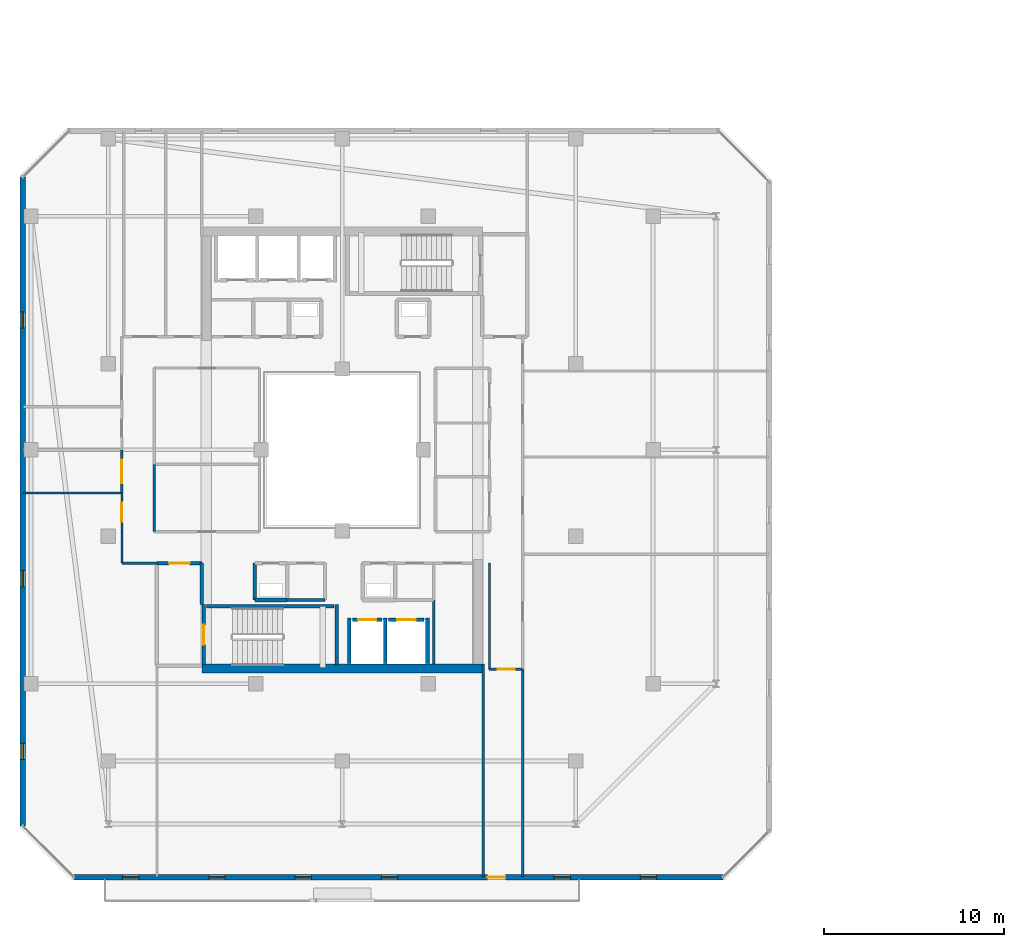
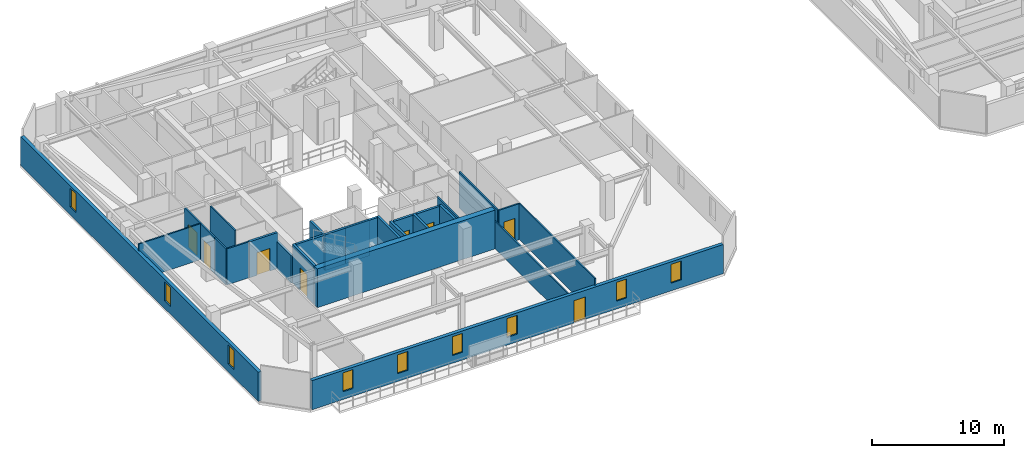
# One storey, part 21 of 35: 27 walls, 9 windows, 8 doors, 17 openings.
"""IFC4 building model written with IfcOpenShell, lengths in metres."""

from ifc_helpers import new_model, si_unit, direction, frame, frame_2d, origin, place, context, subcontext, project, spatial, rectangle, extrude, material, layer, layer_set, type_object, element, fill, save


model = new_model("IFC4")

# Units and contexts
model_context = context("Model", 3, precision=1e-05, world=origin(), true_north=direction((0.0, 1.0)))
body_context = subcontext(model_context, "Body", "Model", "MODEL_VIEW")
ifc_project = project(units=[si_unit("LENGTHUNIT", "METRE"), si_unit("AREAUNIT", "SQUARE_METRE"), si_unit("VOLUMEUNIT", "CUBIC_METRE"), si_unit("PLANEANGLEUNIT", "RADIAN"), si_unit("MASSUNIT", "GRAM", prefix="KILO")], contexts=[model_context])

# Site, building, storey
site_placement = place(None, origin())
site = spatial("IfcSite", under=ifc_project, at=site_placement, CompositionType="ELEMENT")
building_placement = place(site_placement, origin())
building = spatial("IfcBuilding", under=site, at=building_placement, Name="Thornwick Lancets Civic Towers", CompositionType="ELEMENT")
storey_placement = place(building_placement, frame((0.0, 0.0, 272.699951171875)))
storey = spatial("IfcBuildingStorey", under=building, at=storey_placement, Name="L73", CompositionType="ELEMENT", Elevation=272.699951171875)

# Wall, opening, door
ifc_material_1 = material(Name="Concrete blockwork C40/50", Category="masonry")
ifc_layer_1 = layer(ifc_material_1, 0.199951171875, Name="Concrete blockwork C40/50")
ifc_layer_set_1 = layer_set([ifc_layer_1], Name="Concrete blockwork C40/50")
wall_type_1 = type_object("IfcWallType", Name="WALL_COMP_200", PredefinedType="STANDARD", material=ifc_layer_set_1)
wall_1_placement = place(storey_placement, frame((26.080078125, 17.550048828125, 0.0), z_axis=(0.0, 0.0, 1.0), x_axis=(1.0, 0.0, 0.0)))
wall_1 = element("IfcWall", 1, at=wall_1_placement, inside=storey, type_object=wall_type_1, Name="L73 Hoistway Front Wall FL-A1", PredefinedType="STANDARD", context=body_context, shape_type="SweptSolid", body=[
    extrude(rectangle(XDim=1.639892578125, YDim=0.199951171875, at=frame_2d((0.81982421875, 0.0))), origin(), (0.0, 0.0, 1.0), 3.340087890625),
])
opening_1_placement = place(wall_1_placement, frame((0.31005859375, 0.0, 0.0)))
opening_1 = element("IfcOpeningElement", 2, at=opening_1_placement, cuts=wall_1, Name="Opening LD-FL-A1", PredefinedType="OPENING", context=body_context, shape_type="SweptSolid", body=[
    extrude(rectangle(XDim=1.02001953125, YDim=2.06005859375, at=frame_2d((0.510009765625, 1.030029296875))), frame((0.0, 0.10986328125, 0.0), z_axis=(0.0, -1.0, 0.0), x_axis=(1.0, 0.0, 0.0)), (0.0, 0.0, 1.0), 0.219970703125),
])
ifc_material_2 = material(Name="Brushed bronze stainless steel", Category="steel")
door_type_1 = type_object("IfcDoorType", Name="DOOR_LIFT_SLIDE", OperationType="SLIDING_TO_LEFT", PredefinedType="DOOR", material=ifc_material_2)
door_1_placement = place(opening_1_placement, origin())
door_1 = element("IfcDoor", 3, at=door_1_placement, inside=storey, type_object=door_type_1, Name="L73 Sliding Lift Landing Door LD-FL-A1", OperationType="SLIDING_TO_LEFT", OverallHeight=2.06005859375, OverallWidth=1.02001953125, PredefinedType="DOOR", context=body_context, shape_type="SweptSolid", body=[
    extrude(rectangle(XDim=1.02001953125, YDim=2.06005859375, at=frame_2d((0.510009765625, 1.030029296875))), frame((0.0, 0.02490234375, 0.0), z_axis=(0.0, -1.0, 0.0), x_axis=(1.0, 0.0, 0.0)), (0.0, 0.0, 1.0), 0.050048828125),
])
fill(opening_1, door_1)

wall_2_placement = place(storey_placement, frame((28.080078125, 17.550048828125, 0.0), z_axis=(0.0, 0.0, 1.0), x_axis=(1.0, 0.0, 0.0)))
wall_2 = element("IfcWall", 4, at=wall_2_placement, inside=storey, type_object=wall_type_1, Name="L73 Hoistway Front Wall PL-AH1", PredefinedType="STANDARD", context=body_context, shape_type="SweptSolid", body=[
    extrude(rectangle(XDim=1.989990234375, YDim=0.199951171875, at=frame_2d((0.9951171875, 0.0))), origin(), (0.0, 0.0, 1.0), 3.340087890625),
])
opening_2_placement = place(wall_2_placement, frame((0.485107421875, 0.0, 0.0)))
opening_2 = element("IfcOpeningElement", 5, at=opening_2_placement, cuts=wall_2, Name="Opening LD-PL-AH1", PredefinedType="OPENING", context=body_context, shape_type="SweptSolid", body=[
    extrude(rectangle(XDim=1.02001953125, YDim=2.06005859375, at=frame_2d((0.510009765625, 1.030029296875))), frame((0.0, 0.10986328125, 0.0), z_axis=(0.0, -1.0, 0.0), x_axis=(1.0, 0.0, 0.0)), (0.0, 0.0, 1.0), 0.219970703125),
])
door_2_placement = place(opening_2_placement, origin())
door_2 = element("IfcDoor", 6, at=door_2_placement, inside=storey, type_object=door_type_1, Name="L73 Sliding Lift Landing Door LD-PL-AH1", OperationType="SLIDING_TO_LEFT", OverallHeight=2.06005859375, OverallWidth=1.02001953125, PredefinedType="DOOR", context=body_context, shape_type="SweptSolid", body=[
    extrude(rectangle(XDim=1.02001953125, YDim=2.06005859375, at=frame_2d((0.510009765625, 1.030029296875))), frame((0.0, 0.02490234375, 0.0), z_axis=(0.0, -1.0, 0.0), x_axis=(1.0, 0.0, 0.0)), (0.0, 0.0, 1.0), 0.050048828125),
])
fill(opening_2, door_2)

# Walls
for number, where, z_axis, x_axis, name in (
    (7, (27.89990234375, 15.112060546875, 0.0), (0.0, 0.0, 1.0), (0.0, 1.0, 0.0), "L73 Hoistway Shaft Wall FL-A1 E"),
    (8, (25.89990234375, 15.112060546875, 0.0), (0.0, 0.0, 1.0), (0.0, 1.0, 0.0), "L73 Hoistway Shaft Wall FL-A1 W"),
    (9, (30.25, 15.112060546875, 0.0), (0.0, 0.0, 1.0), (0.0, 1.0, 0.0), "L73 Hoistway Shaft Wall PL-AH1 E"),
):
    element("IfcWall", number, at=place(storey_placement, frame(where, z_axis=z_axis, x_axis=x_axis)), inside=storey, type_object=wall_type_1, Name=name, PredefinedType="STANDARD", context=body_context, shape_type="SweptSolid", body=[
        extrude(rectangle(XDim=2.535888671875, YDim=0.199951171875, at=frame_2d((1.26806640625, 0.0))), origin(), (0.0, 0.0, 1.0), 3.340087890625),
    ])
wall_3_placement = place(storey_placement, frame((17.699951171875, 18.39990234375, 0.0), z_axis=(0.0, 0.0, 1.0), x_axis=(0.0, 1.0, 0.0)))
element("IfcWall", 10, at=wall_3_placement, inside=storey, type_object=wall_type_1, Name="L73 Partition L73-A-FFLOB1 E2", PredefinedType="STANDARD", context=body_context, shape_type="SweptSolid", body=[
    extrude(rectangle(XDim=2.300048828125, YDim=0.199951171875, at=frame_2d((1.14990234375, 0.0))), origin(), (0.0, 0.0, 1.0), 2.545166015625),
])

# Wall, opening, door
wall_4_placement = place(storey_placement, frame((17.699951171875, 20.699951171875, 0.0), z_axis=(0.0, 0.0, 1.0), x_axis=(-1.0, 0.0, 0.0)))
wall_4 = element("IfcWall", 11, at=wall_4_placement, inside=storey, type_object=wall_type_1, Name="L73 Partition L73-A-FFLOB1 E3", PredefinedType="STANDARD", context=body_context, shape_type="SweptSolid", body=[
    extrude(rectangle(XDim=2.5, YDim=0.199951171875, at=frame_2d((1.25, 0.0))), origin(), (0.0, 0.0, 1.0), 3.340087890625),
])
opening_3_placement = place(wall_4_placement, frame((0.675048828125, 0.0, 0.0)))
opening_3 = element("IfcOpeningElement", 12, at=opening_3_placement, cuts=wall_4, Name="Opening D-L73-3327", PredefinedType="OPENING", context=body_context, shape_type="SweptSolid", body=[
    extrude(rectangle(XDim=1.14990234375, YDim=2.10009765625, at=frame_2d((0.574951171875, 1.050048828125))), frame((0.0, 0.10986328125, 0.0), z_axis=(0.0, -1.0, 0.0), x_axis=(1.0, 0.0, 0.0)), (0.0, 0.0, 1.0), 0.219970703125),
])
ifc_material_3 = material(Name="Glazed fire-resisting steel", Category="steel")
door_type_2 = type_object("IfcDoorType", Name="DOOR_LOBBY_FD60", OperationType="NOTDEFINED", PredefinedType="DOOR", material=ifc_material_3)
door_3_placement = place(opening_3_placement, origin())
door_3 = element("IfcDoor", 13, at=door_3_placement, inside=storey, type_object=door_type_2, Name="L73 South Firefighting Lobby 1 Door", OperationType="SINGLE_SWING_RIGHT", OverallHeight=2.10009765625, OverallWidth=1.14990234375, PredefinedType="DOOR", context=body_context, shape_type="SweptSolid", body=[
    extrude(rectangle(XDim=1.14990234375, YDim=2.10009765625, at=frame_2d((0.574951171875, 1.050048828125))), frame((0.0, 0.02490234375, 0.0), z_axis=(0.0, -1.0, 0.0), x_axis=(1.0, 0.0, 0.0)), (0.0, 0.0, 1.0), 0.050048828125),
])
fill(opening_3, door_3)

# Walls
wall_5_placement = place(storey_placement, frame((20.64990234375, 18.64990234375, 0.0), z_axis=(0.0, 0.0, 1.0), x_axis=(1.0, 0.0, 0.0)))
element("IfcWall", 14, at=wall_5_placement, inside=storey, type_object=wall_type_1, Name="L73 Partition L73-A-RISER1 E1", PredefinedType="STANDARD", context=body_context, shape_type="SweptSolid", body=[
    extrude(rectangle(XDim=1.800048828125, YDim=0.199951171875, at=frame_2d((0.89990234375, 0.0))), origin(), (0.0, 0.0, 1.0), 3.340087890625),
])
wall_6_placement = place(storey_placement, frame((20.64990234375, 20.699951171875, 0.0), z_axis=(0.0, 0.0, 1.0), x_axis=(0.0, -1.0, 0.0)))
element("IfcWall", 15, at=wall_6_placement, inside=storey, type_object=wall_type_1, Name="L73 Partition L73-A-RISER1 E4", PredefinedType="STANDARD", context=body_context, shape_type="SweptSolid", body=[
    extrude(rectangle(XDim=2.050048828125, YDim=0.199951171875, at=frame_2d((1.02490234375, 0.0))), origin(), (0.0, 0.0, 1.0), 3.340087890625),
])
ifc_material_4 = material(Name="Concrete C50/60", Category="concrete")
ifc_layer_2 = layer(ifc_material_4, 0.5, Name="Concrete C50/60")
ifc_layer_set_2 = layer_set([ifc_layer_2], Name="Concrete C50/60")
wall_type_2 = type_object("IfcWallType", Name="WALL_CORE_500", PredefinedType="SHEAR", material=ifc_layer_set_2)
wall_7_placement = place(storey_placement, frame((17.699951171875, 14.85009765625, 0.0), z_axis=(0.0, 0.0, 1.0), x_axis=(1.0, 0.0, 0.0)))
element("IfcWall", 16, at=wall_7_placement, inside=storey, type_object=wall_type_2, Name="L73 Split Core A1 Shear Wall S", PredefinedType="SHEAR", context=body_context, shape_type="SweptSolid", body=[
    extrude(rectangle(XDim=15.60009765625, YDim=0.5, at=frame_2d((7.800048828125, 0.0))), origin(), (0.0, 0.0, 1.0), 3.60009765625),
])

# Wall, openings, door, windows
ifc_material_5 = material(Name="Insulated russet terracotta rainscreen on concrete C40/50", Category="masonry")
ifc_layer_3 = layer(ifc_material_5, 0.300048828125, Name="Insulated russet terracotta rainscreen on concrete C40/50")
ifc_layer_set_3 = layer_set([ifc_layer_3], Name="Insulated russet terracotta rainscreen on concrete C40/50")
wall_type_3 = type_object("IfcWallType", Name="WALL_EXT_RUSSET_300", PredefinedType="STANDARD", material=ifc_layer_set_3)
wall_8_placement = place(storey_placement, frame((10.594482421875, 3.236328125, 0.0), z_axis=(0.0, 0.0, 1.0), x_axis=(0.999999999634, -2.7061402e-05, 0.0)))
wall_8 = element("IfcWall", 17, at=wall_8_placement, inside=storey, type_object=wall_type_3, Name="L73 Tower A Terracotta Facade Wall E0", PredefinedType="STANDARD", context=body_context, shape_type="SweptSolid", body=[
    extrude(rectangle(XDim=36.0869140625, YDim=0.300048828125, at=frame_2d((18.04345703125, 0.0))), origin(), (0.0, 0.0, 1.0), 2.699951171875),
])
opening_4_placement = place(wall_8_placement, frame((22.993408203125, 0.0, 0.0)))
opening_4 = element("IfcOpeningElement", 18, at=opening_4_placement, cuts=wall_8, Name="Opening D-BL-L73-AS", PredefinedType="OPENING", context=body_context, shape_type="SweptSolid", body=[
    extrude(rectangle(XDim=1.0, YDim=2.080078125, at=frame_2d((0.5, 1.0400390625))), frame((0.0, 0.16015625, 0.0), z_axis=(0.0, -1.0, 0.0), x_axis=(1.0, 0.0, 0.0)), (0.0, 0.0, 1.0), 0.320068359375),
])
opening_5_placement = place(wall_8_placement, frame((2.699951171875, 0.0, 0.719970703125)))
opening_5 = element("IfcOpeningElement", 19, at=opening_5_placement, cuts=wall_8, Name="Opening WL-01", PredefinedType="OPENING", context=body_context, shape_type="SweptSolid", body=[
    extrude(rectangle(XDim=0.89990234375, YDim=1.75, at=frame_2d((0.449951171875, 0.875))), frame((0.0, 0.16015625, 0.0), z_axis=(0.0, -1.0, 0.0), x_axis=(1.0, 0.0, 0.0)), (0.0, 0.0, 1.0), 0.320068359375),
])
opening_6_placement = place(wall_8_placement, frame((7.5, 0.0, 0.719970703125)))
opening_6 = element("IfcOpeningElement", 20, at=opening_6_placement, cuts=wall_8, Name="Opening WL-01", PredefinedType="OPENING", context=body_context, shape_type="SweptSolid", body=[
    extrude(rectangle(XDim=0.89990234375, YDim=1.75, at=frame_2d((0.449951171875, 0.875))), frame((0.0, 0.16015625, 0.0), z_axis=(0.0, -1.0, 0.0), x_axis=(1.0, 0.0, 0.0)), (0.0, 0.0, 1.0), 0.320068359375),
])
opening_7_placement = place(wall_8_placement, frame((12.300048828125, 0.0, 0.719970703125)))
opening_7 = element("IfcOpeningElement", 21, at=opening_7_placement, cuts=wall_8, Name="Opening WL-01", PredefinedType="OPENING", context=body_context, shape_type="SweptSolid", body=[
    extrude(rectangle(XDim=0.89990234375, YDim=1.75, at=frame_2d((0.449951171875, 0.875))), frame((0.0, 0.16015625, 0.0), z_axis=(0.0, -1.0, 0.0), x_axis=(1.0, 0.0, 0.0)), (0.0, 0.0, 1.0), 0.320068359375),
])
opening_8_placement = place(wall_8_placement, frame((17.10009765625, 0.0, 0.719970703125)))
opening_8 = element("IfcOpeningElement", 22, at=opening_8_placement, cuts=wall_8, Name="Opening WL-01", PredefinedType="OPENING", context=body_context, shape_type="SweptSolid", body=[
    extrude(rectangle(XDim=0.89990234375, YDim=1.75, at=frame_2d((0.449951171875, 0.875))), frame((0.0, 0.16015625, 0.0), z_axis=(0.0, -1.0, 0.0), x_axis=(1.0, 0.0, 0.0)), (0.0, 0.0, 1.0), 0.320068359375),
])
opening_9_placement = place(wall_8_placement, frame((26.699951171875, 0.0, 0.719970703125)))
opening_9 = element("IfcOpeningElement", 23, at=opening_9_placement, cuts=wall_8, Name="Opening WL-01", PredefinedType="OPENING", context=body_context, shape_type="SweptSolid", body=[
    extrude(rectangle(XDim=0.89990234375, YDim=1.75, at=frame_2d((0.449951171875, 0.875))), frame((0.0, 0.16015625, 0.0), z_axis=(0.0, -1.0, 0.0), x_axis=(1.0, 0.0, 0.0)), (0.0, 0.0, 1.0), 0.320068359375),
])
opening_10_placement = place(wall_8_placement, frame((31.5, 0.0, 0.719970703125)))
opening_10 = element("IfcOpeningElement", 24, at=opening_10_placement, cuts=wall_8, Name="Opening WL-01", PredefinedType="OPENING", context=body_context, shape_type="SweptSolid", body=[
    extrude(rectangle(XDim=0.89990234375, YDim=1.75, at=frame_2d((0.449951171875, 0.875))), frame((0.0, 0.16015625, 0.0), z_axis=(0.0, -1.0, 0.0), x_axis=(1.0, 0.0, 0.0)), (0.0, 0.0, 1.0), 0.320068359375),
])
ifc_material_6 = material(Name="Thermally broken glazed loggia doorset")
door_type_3 = type_object("IfcDoorType", Name="DOOR_BALC_1000", OperationType="NOTDEFINED", PredefinedType="DOOR", material=ifc_material_6)
door_4_placement = place(opening_4_placement, origin())
door_4 = element("IfcDoor", 25, at=door_4_placement, inside=storey, type_object=door_type_3, Name="L73 Tower A Loggia Balcony Door S", OperationType="SINGLE_SWING_RIGHT", OverallHeight=2.080078125, OverallWidth=1.0, PredefinedType="DOOR", context=body_context, shape_type="SweptSolid", body=[
    extrude(rectangle(XDim=1.0, YDim=2.080078125, at=frame_2d((0.5, 1.0400390625))), frame((0.0, 0.02490234375, 0.0), z_axis=(0.0, -1.0, 0.0), x_axis=(1.0, 0.0, 0.0)), (0.0, 0.0, 1.0), 0.050048828125),
])
fill(opening_4, door_4)
ifc_material_7 = material(Name="Clear low-e double glazing in bronze frame", Category="glass")
window_type = type_object("IfcWindowType", Name="WIN_LANCET_900", PartitioningType="SINGLE_PANEL", PredefinedType="WINDOW", material=ifc_material_7)
window_1_placement = place(opening_5_placement, origin())
window_1 = element("IfcWindow", 26, at=window_1_placement, inside=storey, type_object=window_type, Name="L73 Tower A Staggered Lancet Window E0-1", OverallHeight=1.75, OverallWidth=0.89990234375, PartitioningType="SINGLE_PANEL", PredefinedType="WINDOW", context=body_context, shape_type="SweptSolid", body=[
    extrude(rectangle(XDim=0.89990234375, YDim=1.75, at=frame_2d((0.449951171875, 0.875))), frame((0.0, 0.030029296875, 0.0), z_axis=(0.0, -1.0, 0.0), x_axis=(1.0, 0.0, 0.0)), (0.0, 0.0, 1.0), 0.06005859375),
])
fill(opening_5, window_1)
window_2_placement = place(opening_6_placement, origin())
window_2 = element("IfcWindow", 27, at=window_2_placement, inside=storey, type_object=window_type, Name="L73 Tower A Staggered Lancet Window E0-2", OverallHeight=1.75, OverallWidth=0.89990234375, PartitioningType="SINGLE_PANEL", PredefinedType="WINDOW", context=body_context, shape_type="SweptSolid", body=[
    extrude(rectangle(XDim=0.89990234375, YDim=1.75, at=frame_2d((0.449951171875, 0.875))), frame((0.0, 0.030029296875, 0.0), z_axis=(0.0, -1.0, 0.0), x_axis=(1.0, 0.0, 0.0)), (0.0, 0.0, 1.0), 0.06005859375),
])
fill(opening_6, window_2)
window_3_placement = place(opening_7_placement, origin())
window_3 = element("IfcWindow", 28, at=window_3_placement, inside=storey, type_object=window_type, Name="L73 Tower A Staggered Lancet Window E0-3", OverallHeight=1.75, OverallWidth=0.89990234375, PartitioningType="SINGLE_PANEL", PredefinedType="WINDOW", context=body_context, shape_type="SweptSolid", body=[
    extrude(rectangle(XDim=0.89990234375, YDim=1.75, at=frame_2d((0.449951171875, 0.875))), frame((0.0, 0.030029296875, 0.0), z_axis=(0.0, -1.0, 0.0), x_axis=(1.0, 0.0, 0.0)), (0.0, 0.0, 1.0), 0.06005859375),
])
fill(opening_7, window_3)
window_4_placement = place(opening_8_placement, origin())
window_4 = element("IfcWindow", 29, at=window_4_placement, inside=storey, type_object=window_type, Name="L73 Tower A Staggered Lancet Window E0-4", OverallHeight=1.75, OverallWidth=0.89990234375, PartitioningType="SINGLE_PANEL", PredefinedType="WINDOW", context=body_context, shape_type="SweptSolid", body=[
    extrude(rectangle(XDim=0.89990234375, YDim=1.75, at=frame_2d((0.449951171875, 0.875))), frame((0.0, 0.030029296875, 0.0), z_axis=(0.0, -1.0, 0.0), x_axis=(1.0, 0.0, 0.0)), (0.0, 0.0, 1.0), 0.06005859375),
])
fill(opening_8, window_4)
window_5_placement = place(opening_9_placement, origin())
window_5 = element("IfcWindow", 30, at=window_5_placement, inside=storey, type_object=window_type, Name="L73 Tower A Staggered Lancet Window E0-5", OverallHeight=1.75, OverallWidth=0.89990234375, PartitioningType="SINGLE_PANEL", PredefinedType="WINDOW", context=body_context, shape_type="SweptSolid", body=[
    extrude(rectangle(XDim=0.89990234375, YDim=1.75, at=frame_2d((0.449951171875, 0.875))), frame((0.0, 0.030029296875, 0.0), z_axis=(0.0, -1.0, 0.0), x_axis=(1.0, 0.0, 0.0)), (0.0, 0.0, 1.0), 0.06005859375),
])
fill(opening_9, window_5)
window_6_placement = place(opening_10_placement, origin())
window_6 = element("IfcWindow", 31, at=window_6_placement, inside=storey, type_object=window_type, Name="L73 Tower A Staggered Lancet Window E0-6", OverallHeight=1.75, OverallWidth=0.89990234375, PartitioningType="SINGLE_PANEL", PredefinedType="WINDOW", context=body_context, shape_type="SweptSolid", body=[
    extrude(rectangle(XDim=0.89990234375, YDim=1.75, at=frame_2d((0.449951171875, 0.875))), frame((0.0, 0.030029296875, 0.0), z_axis=(0.0, -1.0, 0.0), x_axis=(1.0, 0.0, 0.0)), (0.0, 0.0, 1.0), 0.06005859375),
])
fill(opening_10, window_6)

# Wall, openings, windows
wall_9_placement = place(storey_placement, frame((7.7353515625, 42.181396484375, 0.0), z_axis=(0.0, 0.0, 1.0), x_axis=(2.7061402e-05, -0.999999999634, 0.0)))
wall_9 = element("IfcWall", 32, at=wall_9_placement, inside=storey, type_object=wall_type_3, Name="L73 Tower A Terracotta Facade Wall E6", PredefinedType="STANDARD", context=body_context, shape_type="SweptSolid", body=[
    extrude(rectangle(XDim=36.0869140625, YDim=0.300048828125, at=frame_2d((18.04345703125, 0.0))), origin(), (0.0, 0.0, 1.0), 2.699951171875),
])
opening_11_placement = place(wall_9_placement, frame((7.5, 0.0, 0.719970703125)))
opening_11 = element("IfcOpeningElement", 33, at=opening_11_placement, cuts=wall_9, Name="Opening WL-01", PredefinedType="OPENING", context=body_context, shape_type="SweptSolid", body=[
    extrude(rectangle(XDim=0.89990234375, YDim=1.75, at=frame_2d((0.449951171875, 0.875))), frame((0.0, 0.16015625, 0.0), z_axis=(0.0, -1.0, 0.0), x_axis=(1.0, 0.0, 0.0)), (0.0, 0.0, 1.0), 0.320068359375),
])
opening_12_placement = place(wall_9_placement, frame((21.89990234375, 0.0, 0.719970703125)))
opening_12 = element("IfcOpeningElement", 34, at=opening_12_placement, cuts=wall_9, Name="Opening WL-01", PredefinedType="OPENING", context=body_context, shape_type="SweptSolid", body=[
    extrude(rectangle(XDim=0.89990234375, YDim=1.75, at=frame_2d((0.449951171875, 0.875))), frame((0.0, 0.16015625, 0.0), z_axis=(0.0, -1.0, 0.0), x_axis=(1.0, 0.0, 0.0)), (0.0, 0.0, 1.0), 0.320068359375),
])
opening_13_placement = place(wall_9_placement, frame((31.5, 0.0, 0.719970703125)))
opening_13 = element("IfcOpeningElement", 35, at=opening_13_placement, cuts=wall_9, Name="Opening WL-01", PredefinedType="OPENING", context=body_context, shape_type="SweptSolid", body=[
    extrude(rectangle(XDim=0.89990234375, YDim=1.75, at=frame_2d((0.449951171875, 0.875))), frame((0.0, 0.16015625, 0.0), z_axis=(0.0, -1.0, 0.0), x_axis=(1.0, 0.0, 0.0)), (0.0, 0.0, 1.0), 0.320068359375),
])
window_7_placement = place(opening_11_placement, origin())
window_7 = element("IfcWindow", 36, at=window_7_placement, inside=storey, type_object=window_type, Name="L73 Tower A Staggered Lancet Window E6-1", OverallHeight=1.75, OverallWidth=0.89990234375, PartitioningType="SINGLE_PANEL", PredefinedType="WINDOW", context=body_context, shape_type="SweptSolid", body=[
    extrude(rectangle(XDim=0.89990234375, YDim=1.75, at=frame_2d((0.449951171875, 0.875))), frame((0.0, 0.030029296875, 0.0), z_axis=(0.0, -1.0, 0.0), x_axis=(1.0, 0.0, 0.0)), (0.0, 0.0, 1.0), 0.06005859375),
])
fill(opening_11, window_7)
window_8_placement = place(opening_12_placement, origin())
window_8 = element("IfcWindow", 37, at=window_8_placement, inside=storey, type_object=window_type, Name="L73 Tower A Staggered Lancet Window E6-2", OverallHeight=1.75, OverallWidth=0.89990234375, PartitioningType="SINGLE_PANEL", PredefinedType="WINDOW", context=body_context, shape_type="SweptSolid", body=[
    extrude(rectangle(XDim=0.89990234375, YDim=1.75, at=frame_2d((0.449951171875, 0.875))), frame((0.0, 0.030029296875, 0.0), z_axis=(0.0, -1.0, 0.0), x_axis=(1.0, 0.0, 0.0)), (0.0, 0.0, 1.0), 0.06005859375),
])
fill(opening_12, window_8)
window_9_placement = place(opening_13_placement, origin())
window_9 = element("IfcWindow", 38, at=window_9_placement, inside=storey, type_object=window_type, Name="L73 Tower A Staggered Lancet Window E6-3", OverallHeight=1.75, OverallWidth=0.89990234375, PartitioningType="SINGLE_PANEL", PredefinedType="WINDOW", context=body_context, shape_type="SweptSolid", body=[
    extrude(rectangle(XDim=0.89990234375, YDim=1.75, at=frame_2d((0.449951171875, 0.875))), frame((0.0, 0.030029296875, 0.0), z_axis=(0.0, -1.0, 0.0), x_axis=(1.0, 0.0, 0.0)), (0.0, 0.0, 1.0), 0.06005859375),
])
fill(opening_13, window_9)

# Walls
ifc_material_8 = material(Name="Acoustic gypsum board partition")
ifc_layer_4 = layer(ifc_material_8, 0.1201171875, Name="Acoustic gypsum board partition")
ifc_layer_set_4 = layer_set([ifc_layer_4], Name="Acoustic gypsum board partition")
wall_type_4 = type_object("IfcWallType", Name="WALL_PART_120", PredefinedType="PARTITIONING", material=ifc_layer_set_4)
wall_10_placement = place(storey_placement, frame((30.60009765625, 15.10009765625, 0.0), z_axis=(0.0, 0.0, 1.0), x_axis=(0.0, 1.0, 0.0)))
element("IfcWall", 39, at=wall_10_placement, inside=storey, type_object=wall_type_4, Name="L73 Partition L73-A-ITR E3", PredefinedType="PARTITIONING", context=body_context, shape_type="SweptSolid", body=[
    extrude(rectangle(XDim=3.5498046875, YDim=0.1201171875, at=frame_2d((1.77490234375, 0.0))), origin(), (0.0, 0.0, 1.0), 3.340087890625),
])
wall_11_placement = place(storey_placement, frame((33.699951171875, 20.699951171875, 0.0), z_axis=(0.0, 0.0, 1.0), x_axis=(0.0, -1.0, 0.0)))
element("IfcWall", 40, at=wall_11_placement, inside=storey, type_object=wall_type_4, Name="L73 Partition L73-A-RECLAIM-L E1", PredefinedType="PARTITIONING", context=body_context, shape_type="SweptSolid", body=[
    extrude(rectangle(XDim=5.89990234375, YDim=0.1201171875, at=frame_2d((2.949951171875, 0.0))), origin(), (0.0, 0.0, 1.0), 3.340087890625),
])

# Wall, opening, door
wall_12_placement = place(storey_placement, frame((33.699951171875, 14.800048828125, 0.0), z_axis=(0.0, 0.0, 1.0), x_axis=(1.0, 0.0, 0.0)))
wall_12 = element("IfcWall", 41, at=wall_12_placement, inside=storey, type_object=wall_type_4, Name="L73 Partition L73-A-RECLAIM-L E2", PredefinedType="PARTITIONING", context=body_context, shape_type="SweptSolid", body=[
    extrude(rectangle(XDim=1.85009765625, YDim=0.1201171875, at=frame_2d((0.925048828125, 0.0))), origin(), (0.0, 0.0, 1.0), 3.340087890625),
])
opening_14_placement = place(wall_12_placement, frame((0.449951171875, 0.0, 0.0)))
opening_14 = element("IfcOpeningElement", 42, at=opening_14_placement, cuts=wall_12, Name="Opening D-L73-3349", PredefinedType="OPENING", context=body_context, shape_type="SweptSolid", body=[
    extrude(rectangle(XDim=0.949951171875, YDim=2.10009765625, at=frame_2d((0.47509765625, 1.050048828125))), frame((0.0, 0.070068359375, 0.0), z_axis=(0.0, -1.0, 0.0), x_axis=(1.0, 0.0, 0.0)), (0.0, 0.0, 1.0), 0.14013671875),
])
ifc_material_9 = material(Name="European oak acoustic doorset")
door_type_4 = type_object("IfcDoorType", Name="DOOR_OFFICE_950", OperationType="NOTDEFINED", PredefinedType="DOOR", material=ifc_material_9)
door_5_placement = place(opening_14_placement, origin())
door_5 = element("IfcDoor", 43, at=door_5_placement, inside=storey, type_object=door_type_4, Name="L73 Tower A Parliamentary Drafting Library Door", OperationType="SINGLE_SWING_RIGHT", OverallHeight=2.10009765625, OverallWidth=0.949951171875, PredefinedType="DOOR", context=body_context, shape_type="SweptSolid", body=[
    extrude(rectangle(XDim=0.949951171875, YDim=2.10009765625, at=frame_2d((0.47509765625, 1.050048828125))), frame((0.0, 0.02490234375, 0.0), z_axis=(0.0, -1.0, 0.0), x_axis=(1.0, 0.0, 0.0)), (0.0, 0.0, 1.0), 0.050048828125),
])
fill(opening_14, door_5)

# Walls
wall_13_placement = place(storey_placement, frame((35.550048828125, 14.800048828125, 0.0), z_axis=(0.0, 0.0, 1.0), x_axis=(0.0, -1.0, 0.0)))
element("IfcWall", 44, at=wall_13_placement, inside=storey, type_object=wall_type_4, Name="L73 Partition L73-A-RECLAIM-L E3", PredefinedType="PARTITIONING", context=body_context, shape_type="SweptSolid", body=[
    extrude(rectangle(XDim=11.52001953125, YDim=0.1201171875, at=frame_2d((5.760009765625, 0.0))), origin(), (0.0, 0.0, 1.0), 3.340087890625),
])
wall_14_placement = place(storey_placement, frame((33.35009765625, 3.280029296875, 0.0), z_axis=(0.0, 0.0, 1.0), x_axis=(0.0, 1.0, 0.0)))
element("IfcWall", 45, at=wall_14_placement, inside=storey, type_object=wall_type_4, Name="L73 Partition L73-A-RECLAIM-L E5", PredefinedType="PARTITIONING", context=body_context, shape_type="SweptSolid", body=[
    extrude(rectangle(XDim=11.820068359375, YDim=0.1201171875, at=frame_2d((5.91015625, 0.0))), origin(), (0.0, 0.0, 1.0), 2.545166015625),
])

# Wall, opening, door
wall_15_placement = place(storey_placement, frame((13.25, 24.60009765625, 0.0), z_axis=(0.0, 0.0, 1.0), x_axis=(0.0, -1.0, 0.0)))
wall_15 = element("IfcWall", 46, at=wall_15_placement, inside=storey, type_object=wall_type_4, Name="L73 Partition L73-A-W1 E1", PredefinedType="PARTITIONING", context=body_context, shape_type="SweptSolid", body=[
    extrude(rectangle(XDim=2.150146484375, YDim=0.1201171875, at=frame_2d((1.0751953125, 0.0))), origin(), (0.0, 0.0, 1.0), 3.340087890625),
])
opening_15_placement = place(wall_15_placement, frame((0.550048828125, 0.0, 0.0)))
opening_15 = element("IfcOpeningElement", 47, at=opening_15_placement, cuts=wall_15, Name="Opening D-L73-3352", PredefinedType="OPENING", context=body_context, shape_type="SweptSolid", body=[
    extrude(rectangle(XDim=1.050048828125, YDim=2.10009765625, at=frame_2d((0.52490234375, 1.050048828125))), frame((0.0, 0.070068359375, 0.0), z_axis=(0.0, -1.0, 0.0), x_axis=(1.0, 0.0, 0.0)), (0.0, 0.0, 1.0), 0.14013671875),
])
ifc_material_10 = material(Name="Glazed European oak executive doorset")
door_type_5 = type_object("IfcDoorType", Name="DOOR_OFFICE_1050", OperationType="NOTDEFINED", PredefinedType="DOOR", material=ifc_material_10)
door_6_placement = place(opening_15_placement, origin())
door_6 = element("IfcDoor", 48, at=door_6_placement, inside=storey, type_object=door_type_5, Name="L73 Tower A Ministry Directorate Office W1 Door", OperationType="SINGLE_SWING_LEFT", OverallHeight=2.10009765625, OverallWidth=1.050048828125, PredefinedType="DOOR", context=body_context, shape_type="SweptSolid", body=[
    extrude(rectangle(XDim=1.050048828125, YDim=2.10009765625, at=frame_2d((0.52490234375, 1.050048828125))), frame((0.0, 0.02490234375, 0.0), z_axis=(0.0, -1.0, 0.0), x_axis=(1.0, 0.0, 0.0)), (0.0, 0.0, 1.0), 0.050048828125),
])
fill(opening_15, door_6)

# Walls
wall_16_placement = place(storey_placement, frame((13.25, 22.449951171875, 0.0), z_axis=(0.0, 0.0, 1.0), x_axis=(0.0, -1.0, 0.0)))
element("IfcWall", 49, at=wall_16_placement, inside=storey, type_object=wall_type_4, Name="L73 Partition L73-A-W1 E2", PredefinedType="PARTITIONING", context=body_context, shape_type="SweptSolid", body=[
    extrude(rectangle(XDim=1.75, YDim=0.1201171875, at=frame_2d((0.875, 0.0))), origin(), (0.0, 0.0, 1.0), 3.340087890625),
])
wall_17_placement = place(storey_placement, frame((13.25, 20.699951171875, 0.0), z_axis=(0.0, 0.0, 1.0), x_axis=(1.0, 0.0, 0.0)))
element("IfcWall", 50, at=wall_17_placement, inside=storey, type_object=wall_type_4, Name="L73 Partition L73-A-W1 E3", PredefinedType="PARTITIONING", context=body_context, shape_type="SweptSolid", body=[
    extrude(rectangle(XDim=1.949951171875, YDim=0.1201171875, at=frame_2d((0.97509765625, 0.0))), origin(), (0.0, 0.0, 1.0), 3.340087890625),
])
wall_18_placement = place(storey_placement, frame((7.780029296875, 24.60009765625, 0.0), z_axis=(0.0, 0.0, 1.0), x_axis=(1.0, 0.0, 0.0)))
element("IfcWall", 51, at=wall_18_placement, inside=storey, type_object=wall_type_4, Name="L73 Partition L73-A-W1 E9", PredefinedType="PARTITIONING", context=body_context, shape_type="SweptSolid", body=[
    extrude(rectangle(XDim=5.469970703125, YDim=0.1201171875, at=frame_2d((2.73486328125, 0.0))), origin(), (0.0, 0.0, 1.0), 3.340087890625),
])
wall_19_placement = place(storey_placement, frame((15.050048828125, 22.449951171875, 0.0), z_axis=(0.0, 0.0, 1.0), x_axis=(0.0, 1.0, 0.0)))
element("IfcWall", 52, at=wall_19_placement, inside=storey, type_object=wall_type_4, Name="L73 Partition L73-A-W3 E1", PredefinedType="PARTITIONING", context=body_context, shape_type="SweptSolid", body=[
    extrude(rectangle(XDim=3.75, YDim=0.1201171875, at=frame_2d((1.875, 0.0))), origin(), (0.0, 0.0, 1.0), 3.340087890625),
])
ifc_material_11 = material(Name="Twin-stud acoustic gypsum board")
ifc_layer_5 = layer(ifc_material_11, 0.14990234375, Name="Twin-stud acoustic gypsum board")
ifc_layer_set_5 = layer_set([ifc_layer_5], Name="Twin-stud acoustic gypsum board")
wall_type_5 = type_object("IfcWallType", Name="WALL_PART_150", PredefinedType="PARTITIONING", material=ifc_layer_set_5)
wall_20_placement = place(storey_placement, frame((24.550048828125, 18.64990234375, 0.0), z_axis=(0.0, 0.0, 1.0), x_axis=(-1.0, 0.0, 0.0)))
element("IfcWall", 53, at=wall_20_placement, inside=storey, type_object=wall_type_5, Name="L73 Partition L73-A-MWC E2", PredefinedType="PARTITIONING", context=body_context, shape_type="SweptSolid", body=[
    extrude(rectangle(XDim=2.10009765625, YDim=0.14990234375, at=frame_2d((1.050048828125, 0.0))), origin(), (0.0, 0.0, 1.0), 3.340087890625),
])

# Wall, opening, door
wall_21_placement = place(storey_placement, frame((13.25, 27.0, 0.0), z_axis=(0.0, 0.0, 1.0), x_axis=(0.0, -1.0, 0.0)))
wall_21 = element("IfcWall", 54, at=wall_21_placement, inside=storey, type_object=wall_type_5, Name="L73 Partition L73-A-W2 E1", PredefinedType="PARTITIONING", context=body_context, shape_type="SweptSolid", body=[
    extrude(rectangle(XDim=2.39990234375, YDim=0.14990234375, at=frame_2d((1.199951171875, 0.0))), origin(), (0.0, 0.0, 1.0), 3.340087890625),
])
opening_16_placement = place(wall_21_placement, frame((0.550048828125, 0.0, 0.0)))
opening_16 = element("IfcOpeningElement", 55, at=opening_16_placement, cuts=wall_21, Name="Opening D-L73-3353", PredefinedType="OPENING", context=body_context, shape_type="SweptSolid", body=[
    extrude(rectangle(XDim=1.300048828125, YDim=2.1201171875, at=frame_2d((0.64990234375, 1.06005859375))), frame((0.0, 0.0849609375, 0.0), z_axis=(0.0, -1.0, 0.0), x_axis=(1.0, 0.0, 0.0)), (0.0, 0.0, 1.0), 0.169921875),
])
ifc_material_12 = material(Name="Acoustic oak leaf-and-a-half doorset")
door_type_6 = type_object("IfcDoorType", Name="DOOR_MEET_1300", OperationType="DOUBLE_DOOR_SINGLE_SWING", PredefinedType="DOOR", material=ifc_material_12)
door_7_placement = place(opening_16_placement, origin())
door_7 = element("IfcDoor", 56, at=door_7_placement, inside=storey, type_object=door_type_6, Name="L73 Tower A Policy Briefing Room W2 Door", OperationType="DOUBLE_DOOR_SINGLE_SWING", OverallHeight=2.1201171875, OverallWidth=1.300048828125, PredefinedType="DOOR", context=body_context, shape_type="SweptSolid", body=[
    extrude(rectangle(XDim=1.300048828125, YDim=2.1201171875, at=frame_2d((0.64990234375, 1.06005859375))), frame((0.0, 0.02490234375, 0.0), z_axis=(0.0, -1.0, 0.0), x_axis=(1.0, 0.0, 0.0)), (0.0, 0.0, 1.0), 0.050048828125),
])
fill(opening_16, door_7)

ifc_material_13 = material(Name="Concrete C40/50", Category="concrete")
ifc_layer_6 = layer(ifc_material_13, 0.199951171875, Name="Concrete C40/50")
ifc_layer_set_6 = layer_set([ifc_layer_6], Name="Concrete C40/50")
wall_type_6 = type_object("IfcWallType", Name="WALL_SHAFT_200", PredefinedType="SHEAR", material=ifc_layer_set_6)
wall_22_placement = place(storey_placement, frame((17.800048828125, 15.050048828125, 0.0), z_axis=(0.0, 0.0, 1.0), x_axis=(0.0, 1.0, 0.0)))
wall_22 = element("IfcWall", 57, at=wall_22_placement, inside=storey, type_object=wall_type_6, Name="L73 ST-A1 Fire Stair Core Wall NEAR", PredefinedType="SHEAR", context=body_context, shape_type="SweptSolid", body=[
    extrude(rectangle(XDim=3.349853515625, YDim=0.199951171875, at=frame_2d((1.6748046875, 0.0))), origin(), (0.0, 0.0, 1.0), 3.60009765625),
])
opening_17_placement = place(wall_22_placement, frame((1.125, 0.0, 0.0)))
opening_17 = element("IfcOpeningElement", 58, at=opening_17_placement, cuts=wall_22, Name="Opening D-ST-A1-L73", PredefinedType="OPENING", context=body_context, shape_type="SweptSolid", body=[
    extrude(rectangle(XDim=1.10009765625, YDim=2.10009765625, at=frame_2d((0.550048828125, 1.050048828125))), frame((0.0, 0.10986328125, 0.0), z_axis=(0.0, -1.0, 0.0), x_axis=(1.0, 0.0, 0.0)), (0.0, 0.0, 1.0), 0.219970703125),
])
ifc_material_14 = material(Name="Fire-resisting steel and hardwood", Category="steel")
door_type_7 = type_object("IfcDoorType", Name="DOOR_STAIR_FD60", OperationType="NOTDEFINED", PredefinedType="DOOR", material=ifc_material_14)
door_8_placement = place(opening_17_placement, origin())
door_8 = element("IfcDoor", 59, at=door_8_placement, inside=storey, type_object=door_type_7, Name="L73 ST-A1 Exit Stair Door", OperationType="SINGLE_SWING_RIGHT", OverallHeight=2.10009765625, OverallWidth=1.10009765625, PredefinedType="DOOR", context=body_context, shape_type="SweptSolid", body=[
    extrude(rectangle(XDim=1.10009765625, YDim=2.10009765625, at=frame_2d((0.550048828125, 1.050048828125))), frame((0.0, 0.02490234375, 0.0), z_axis=(0.0, -1.0, 0.0), x_axis=(1.0, 0.0, 0.0)), (0.0, 0.0, 1.0), 0.050048828125),
])
fill(opening_17, door_8)

# Walls
wall_23_placement = place(storey_placement, frame((25.199951171875, 18.39990234375, 0.0), z_axis=(0.0, 0.0, 1.0), x_axis=(0.0, -1.0, 0.0)))
element("IfcWall", 60, at=wall_23_placement, inside=storey, type_object=wall_type_6, Name="L73 ST-A1 Fire Stair Core Wall FAR", PredefinedType="SHEAR", context=body_context, shape_type="SweptSolid", body=[
    extrude(rectangle(XDim=3.349853515625, YDim=0.199951171875, at=frame_2d((1.6748046875, 0.0))), origin(), (0.0, 0.0, 1.0), 3.60009765625),
])
wall_24_placement = place(storey_placement, frame((25.050048828125, 18.297119140625, 0.0), z_axis=(0.0, 0.0, 1.0), x_axis=(-1.0, 0.0, 0.0)))
element("IfcWall", 61, at=wall_24_placement, inside=storey, type_object=wall_type_6, Name="L73 ST-A1 Fire Stair Core Wall RIGHT", PredefinedType="SHEAR", context=body_context, shape_type="SweptSolid", body=[
    extrude(rectangle(XDim=7.10009765625, YDim=0.199951171875, at=frame_2d((3.550048828125, 0.0))), origin(), (0.0, 0.0, 1.0), 3.60009765625),
])

save(model, "model.ifc")
